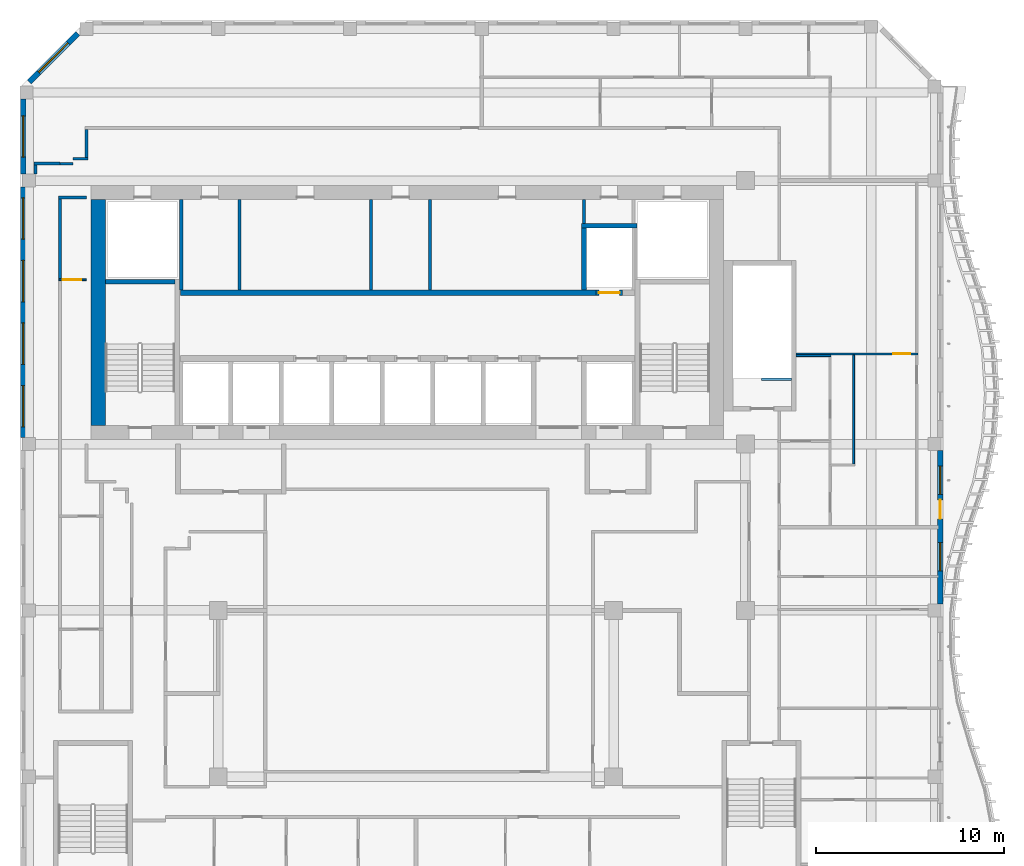
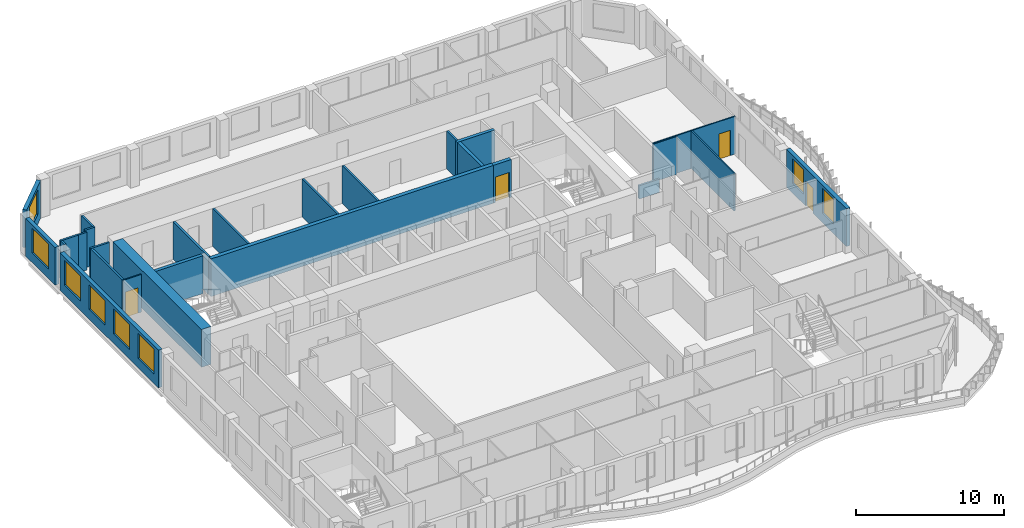
# One storey, part 7 of 18: 27 walls, 8 windows, 4 doors, 12 openings.
"""IFC4 building model written with IfcOpenShell, lengths in metres."""

from ifc_helpers import new_model, si_unit, direction, frame, frame_2d, origin, place, context, subcontext, project, spatial, rectangle, extrude, source, transform, mapped, material, layer, layer_set, type_object, element, fill, save


model = new_model("IFC4")

# Units and contexts
model_context = context("Model", 3, precision=1e-05, world=origin(), true_north=direction((0.0, 1.0)))
body_context = subcontext(model_context, "Body", "Model", "MODEL_VIEW")
ifc_project = project(units=[si_unit("LENGTHUNIT", "METRE"), si_unit("AREAUNIT", "SQUARE_METRE"), si_unit("VOLUMEUNIT", "CUBIC_METRE"), si_unit("PLANEANGLEUNIT", "RADIAN"), si_unit("MASSUNIT", "GRAM", prefix="KILO")], contexts=[model_context])

# Site, building, storey
site_placement = place(None, origin())
site = spatial("IfcSite", under=ifc_project, at=site_placement, CompositionType="ELEMENT")
building_placement = place(site_placement, origin())
building = spatial("IfcBuilding", under=site, at=building_placement, Name="Kilnfold Tower and Market Hall", CompositionType="ELEMENT")
storey_placement = place(building_placement, frame((0.0, 0.0, 256.0)))
storey = spatial("IfcBuildingStorey", under=building, at=storey_placement, Name="L62", CompositionType="ELEMENT", Elevation=256.0)

# Walls
ifc_material_1 = material(Name="Gypsum board on steel studs", Category="steel")
ifc_layer_1 = layer(ifc_material_1, 0.14990234375)
ifc_layer_set_1 = layer_set([ifc_layer_1], Name="Gypsum board on steel studs")
wall_type_1 = type_object("IfcWallType", Name="WALL CORRIDOR 150", PredefinedType="PARTITIONING", material=ifc_layer_set_1)
wall_1_placement = place(storey_placement, frame((-17.47509765625, 21.10009765625, 0.0), z_axis=(0.0, 0.0, 1.0), x_axis=(1.0, 0.0, 0.0)))
element("IfcWall", 1, at=wall_1_placement, inside=storey, type_object=wall_type_1, Name="Partition LY38.7", PredefinedType="PARTITIONING", context=body_context, shape_type="SweptSolid", body=[
    extrude(rectangle(XDim=1.47509765625, YDim=0.14990234375, at=frame_2d((0.737548828125, 0.0))), origin(), (0.0, 0.0, 1.0), 3.1201171875),
])
wall_2_placement = place(storey_placement, frame((-17.39990234375, 16.77099609375, 0.0), z_axis=(0.0, 0.0, 1.0), x_axis=(0.0, 1.0, 0.0)))
element("IfcWall", 2, at=wall_2_placement, inside=storey, type_object=wall_type_1, Name="Partition LY38.8", PredefinedType="PARTITIONING", context=body_context, shape_type="SweptSolid", body=[
    extrude(rectangle(XDim=4.25390625, YDim=0.14990234375, at=frame_2d((2.126953125, 0.0))), origin(), (0.0, 0.0, 1.0), 3.1201171875),
])
wall_3_placement = place(storey_placement, frame((-17.39794921875, 22.902099609375, 0.0), z_axis=(0.0, 0.0, 1.0), x_axis=(-1.0, 0.0, 0.0)))
element("IfcWall", 3, at=wall_3_placement, inside=storey, type_object=wall_type_1, Name="Partition LY38.22", PredefinedType="PARTITIONING", context=body_context, shape_type="SweptSolid", body=[
    extrude(rectangle(XDim=1.379150390625, YDim=0.14990234375, at=frame_2d((0.689453125, 0.0))), origin(), (0.0, 0.0, 1.0), 3.1201171875),
])
wall_4_placement = place(storey_placement, frame((-16.7119140625, 22.89990234375, 0.0), z_axis=(0.0, 0.0, 1.0), x_axis=(-1.0, 0.0, 0.0)))
element("IfcWall", 4, at=wall_4_placement, inside=storey, type_object=wall_type_1, Name="Partition LY38.23", PredefinedType="PARTITIONING", context=body_context, shape_type="SweptSolid", body=[
    extrude(rectangle(XDim=0.68603515625, YDim=0.14990234375, at=frame_2d((0.343017578125, 0.0))), origin(), (0.0, 0.0, 1.0), 3.1201171875),
])
wall_5_placement = place(storey_placement, frame((-15.925048828125, 23.1630859375, 0.0), z_axis=(0.0, 0.0, 1.0), x_axis=(-1.0, 0.0, 0.0)))
element("IfcWall", 5, at=wall_5_placement, inside=storey, type_object=wall_type_1, Name="Partition LY38.24", PredefinedType="PARTITIONING", context=body_context, shape_type="SweptSolid", body=[
    extrude(rectangle(XDim=0.786865234375, YDim=0.14990234375, at=frame_2d((0.3935546875, 0.0))), origin(), (0.0, 0.0, 1.0), 3.1201171875),
])
wall_6_placement = place(storey_placement, frame((-16.0, 23.238037109375, 0.0), z_axis=(0.0, 0.0, 1.0), x_axis=(0.0, 1.0, 0.0)))
element("IfcWall", 6, at=wall_6_placement, inside=storey, type_object=wall_type_1, Name="Partition LY38.25", PredefinedType="PARTITIONING", context=body_context, shape_type="SweptSolid", body=[
    extrude(rectangle(XDim=1.487060546875, YDim=0.14990234375, at=frame_2d((0.74365234375, 0.0))), origin(), (0.0, 0.0, 1.0), 3.1201171875),
])
wall_7_placement = place(storey_placement, frame((-18.701904296875, 22.826904296875, 0.0), z_axis=(0.0, 0.0, 1.0), x_axis=(0.0, -1.0, 0.0)))
element("IfcWall", 7, at=wall_7_placement, inside=storey, type_object=wall_type_1, Name="Partition LY38.27", PredefinedType="PARTITIONING", context=body_context, shape_type="SweptSolid", body=[
    extrude(rectangle(XDim=0.476806640625, YDim=0.14990234375, at=frame_2d((0.23828125, 0.0))), origin(), (0.0, 0.0, 1.0), 3.1201171875),
])

# Wall, opening, door
ifc_material_2 = material(Name="Gypsum board on steel studs", Category="steel")
ifc_layer_2 = layer(ifc_material_2, 0.10009765625)
ifc_layer_set_2 = layer_set([ifc_layer_2], Name="Gypsum board on steel studs")
wall_type_2 = type_object("IfcWallType", Name="WALL PARTITION 100", PredefinedType="PARTITIONING", material=ifc_layer_set_2)
wall_8_placement = place(storey_placement, frame((-16.0, 16.73095703125, 0.0), z_axis=(0.0, 0.0, 1.0), x_axis=(-1.0, 0.0, 0.0)))
wall_8 = element("IfcWall", 8, at=wall_8_placement, inside=storey, type_object=wall_type_2, Name="Partition LY38.58", PredefinedType="PARTITIONING", context=body_context, shape_type="SweptSolid", body=[
    extrude(rectangle(XDim=1.472900390625, YDim=0.10009765625, at=frame_2d((0.736328125, 0.0))), origin(), (0.0, 0.0, 1.0), 3.1201171875),
])
opening_1_placement = place(wall_8_placement, frame((0.27294921875, 0.0, 0.0)))
opening_1 = element("IfcOpeningElement", 9, at=opening_1_placement, cuts=wall_8, Name="Opening D1", PredefinedType="OPENING", context=body_context, shape_type="SweptSolid", body=[
    extrude(rectangle(XDim=1.0, YDim=2.10009765625, at=frame_2d((0.5, 1.050048828125))), frame((0.0, 0.06005859375, 0.0), z_axis=(0.0, -1.0, 0.0), x_axis=(1.0, 0.0, 0.0)), (0.0, 0.0, 1.0), 0.1201171875),
])
ifc_material_3 = material(Name="Timber veneer door leaf in steel frame", Category="steel")
door_type_1 = type_object("IfcDoorType", Name="DOOR ENTRY 1000 X2100", OperationType="NOTDEFINED", PredefinedType="DOOR", material=ifc_material_3)
door_1_placement = place(opening_1_placement, origin())
door_1 = element("IfcDoor", 10, at=door_1_placement, inside=storey, type_object=door_type_1, Name="Door D1", OperationType="SINGLE_SWING_RIGHT", OverallHeight=2.10009765625, OverallWidth=1.0, PredefinedType="DOOR", context=body_context, shape_type="SweptSolid", body=[
    extrude(rectangle(XDim=1.0, YDim=2.10009765625, at=frame_2d((0.5, 1.050048828125))), frame((0.0, 0.02490234375, 0.0), z_axis=(0.0, -1.0, 0.0), x_axis=(1.0, 0.0, 0.0)), (0.0, 0.0, 1.0), 0.050048828125),
])
fill(opening_1, door_1)

# Wall
wall_9_placement = place(storey_placement, frame((24.7509765625, 12.740966796875, 0.0), z_axis=(0.0, 0.0, 1.0), x_axis=(0.0, -1.0, 0.0)))
element("IfcWall", 11, at=wall_9_placement, inside=storey, type_object=wall_type_2, Name="Partition LY38.86", PredefinedType="PARTITIONING", context=body_context, shape_type="SweptSolid", body=[
    extrude(rectangle(XDim=5.800048828125, YDim=0.10009765625, at=frame_2d((2.89990234375, 0.0))), origin(), (0.0, 0.0, 1.0), 3.1201171875),
])

# Wall, opening, door
wall_10_placement = place(storey_placement, frame((21.699951171875, 12.791015625, 0.0), z_axis=(0.0, 0.0, 1.0), x_axis=(1.0, 0.0, 0.0)))
wall_10 = element("IfcWall", 12, at=wall_10_placement, inside=storey, type_object=wall_type_2, Name="Partition LY38.89", PredefinedType="PARTITIONING", context=body_context, shape_type="SweptSolid", body=[
    extrude(rectangle(XDim=6.4609375, YDim=0.10009765625, at=frame_2d((3.23046875, 0.0))), origin(), (0.0, 0.0, 1.0), 3.1201171875),
])
opening_2_placement = place(wall_10_placement, frame((5.159912109375, 0.0, 0.0)))
opening_2 = element("IfcOpeningElement", 13, at=opening_2_placement, cuts=wall_10, Name="Opening D2", PredefinedType="OPENING", context=body_context, shape_type="SweptSolid", body=[
    extrude(rectangle(XDim=0.89990234375, YDim=2.10009765625, at=frame_2d((0.449951171875, 1.050048828125))), frame((0.0, 0.06005859375, 0.0), z_axis=(0.0, -1.0, 0.0), x_axis=(1.0, 0.0, 0.0)), (0.0, 0.0, 1.0), 0.1201171875),
])
ifc_material_4 = material(Name="Timber veneer door leaf in steel frame", Category="steel")
door_type_2 = type_object("IfcDoorType", Name="DOOR ROOM 900 X2100", OperationType="NOTDEFINED", PredefinedType="DOOR", material=ifc_material_4)
door_2_placement = place(opening_2_placement, origin())
door_2 = element("IfcDoor", 14, at=door_2_placement, inside=storey, type_object=door_type_2, Name="Door D2", OperationType="SINGLE_SWING_LEFT", OverallHeight=2.10009765625, OverallWidth=0.89990234375, PredefinedType="DOOR", context=body_context, shape_type="SweptSolid", body=[
    extrude(rectangle(XDim=0.89990234375, YDim=2.10009765625, at=frame_2d((0.449951171875, 1.050048828125))), frame((0.0, 0.02490234375, 0.0), z_axis=(0.0, -1.0, 0.0), x_axis=(1.0, 0.0, 0.0)), (0.0, 0.0, 1.0), 0.050048828125),
])
fill(opening_2, door_2)

# Walls
wall_11_placement = place(storey_placement, frame((23.550048828125, 12.699951171875, 0.0), z_axis=(0.0, 0.0, 1.0), x_axis=(-1.0, 0.0, 0.0)))
element("IfcWall", 15, at=wall_11_placement, inside=storey, type_object=wall_type_2, Name="Partition LY38.92", PredefinedType="PARTITIONING", context=body_context, shape_type="SweptSolid", body=[
    extrude(rectangle(XDim=1.85009765625, YDim=0.10009765625, at=frame_2d((0.925048828125, 0.0))), origin(), (0.0, 0.0, 1.0), 3.1201171875),
])
ifc_material_5 = material(Name="Concrete C60", Category="concrete")
ifc_layer_3 = layer(ifc_material_5, 0.25)
ifc_layer_set_3 = layer_set([ifc_layer_3], Name="Concrete C60")
wall_type_3 = type_object("IfcWallType", Name="CORE WALL 250 C60", PredefinedType="SHEAR", material=ifc_layer_set_3)
shared_shape_1 = source(origin(), body_context, "Body", "SweptSolid", [
    extrude(rectangle(XDim=3.699951171875, YDim=0.25, at=frame_2d((1.85009765625, 0.0))), origin(), (0.0, 0.0, 1.0), 3.1201171875),
])
wall_12_placement = place(storey_placement, frame((-15.0, 16.625, 0.0), z_axis=(0.0, 0.0, 1.0), x_axis=(1.0, 0.0, 0.0)))
element("IfcWall", 16, at=wall_12_placement, inside=storey, type_object=wall_type_3, Name="Stair enclosure ST1", PredefinedType="SHEAR", context=body_context, shape_type="MappedRepresentation", body=[
    mapped(shared_shape_1, transform((0.0, 0.0, 0.0))),
])
ifc_material_6 = material(Name="Concrete C60", Category="concrete")
ifc_layer_4 = layer(ifc_material_6, 0.75)
ifc_layer_set_4 = layer_set([ifc_layer_4], Name="Concrete C60")
wall_type_4 = type_object("IfcWallType", Name="CORE WALL 750 C60", PredefinedType="SHEAR", material=ifc_layer_set_4)
shared_shape_2 = source(origin(), body_context, "Body", "SweptSolid", [
    extrude(rectangle(XDim=12.0, YDim=0.75, at=frame_2d((6.0, 0.0))), origin(), (0.0, 0.0, 1.0), 3.1201171875),
])
wall_13_placement = place(storey_placement, frame((-15.375, 9.0, 0.0), z_axis=(0.0, 0.0, 1.0), x_axis=(0.0, 1.0, 0.0)))
element("IfcWall", 17, at=wall_13_placement, inside=storey, type_object=wall_type_4, Name="Core outer wall west", PredefinedType="SHEAR", context=body_context, shape_type="MappedRepresentation", body=[
    mapped(shared_shape_2, transform((0.0, 0.0, 0.0))),
])
ifc_material_7 = material(Name="Concrete C60", Category="concrete")
ifc_layer_5 = layer(ifc_material_7, 0.300048828125)
ifc_layer_set_5 = layer_set([ifc_layer_5], Name="Concrete C60")
wall_type_5 = type_object("IfcWallType", Name="CORE WALL 300 C60", PredefinedType="SHEAR", material=ifc_layer_set_5)
shared_shape_3 = source(origin(), body_context, "Body", "SweptSolid", [
    extrude(rectangle(XDim=22.080078125, YDim=0.300048828125, at=frame_2d((11.0400390625, 0.0))), origin(), (0.0, 0.0, 1.0), 3.1201171875),
])
wall_14_placement = place(storey_placement, frame((-11.010009765625, 16.050048828125, 0.0), z_axis=(0.0, 0.0, 1.0), x_axis=(1.0, 0.0, 0.0)))
element("IfcWall", 18, at=wall_14_placement, inside=storey, type_object=wall_type_5, Name="Core spine wall", PredefinedType="SHEAR", context=body_context, shape_type="MappedRepresentation", body=[
    mapped(shared_shape_3, transform((0.0, 0.0, 0.0))),
])

# Wall, opening, window
ifc_material_8 = material(Name="Precast concrete C50/60", Category="concrete")
ifc_layer_6 = layer(ifc_material_8, 0.300048828125)
ifc_layer_set_6 = layer_set([ifc_layer_6], Name="Precast concrete C50/60")
wall_type_6 = type_object("IfcWallType", Name="PRECAST WALL 300", PredefinedType="SOLIDWALL", material=ifc_layer_set_6)
shared_shape_4 = source(origin(), body_context, "Body", "SweptSolid", [
    extrude(rectangle(XDim=3.6416015625, YDim=0.300048828125, at=frame_2d((1.82080078125, 0.0))), origin(), (0.0, 0.0, 1.0), 3.1201171875),
])
wall_15_placement = place(storey_placement, frame((-16.468994140625, 29.81884765625, 0.0), z_axis=(0.0, 0.0, 1.0), x_axis=(-0.707106781187, -0.707106781187, 0.0)))
wall_15 = element("IfcWall", 19, at=wall_15_placement, inside=storey, type_object=wall_type_6, Name="External wall L62 NW", PredefinedType="SOLIDWALL", context=body_context, shape_type="MappedRepresentation", body=[
    mapped(shared_shape_4, transform((0.0, 0.0, 0.0))),
])
opening_3_placement = place(wall_15_placement, frame((0.720703125, 0.0, 0.800048828125)))
opening_3 = element("IfcOpeningElement", 20, at=opening_3_placement, cuts=wall_15, Name="Opening W3", PredefinedType="OPENING", context=body_context, shape_type="SweptSolid", body=[
    extrude(rectangle(XDim=2.199951171875, YDim=2.050048828125, at=frame_2d((1.10009765625, 1.02490234375))), frame((0.0, 0.16015625, 0.0), z_axis=(0.0, -1.0, 0.0), x_axis=(1.0, 0.0, 0.0)), (0.0, 0.0, 1.0), 0.320068359375),
])
ifc_material_9 = material(Name="Aluminium frame and double glazing", Category="aluminium")
window_type_1 = type_object("IfcWindowType", Name="WINDOW W3 2200X2050", PartitioningType="SINGLE_PANEL", PredefinedType="WINDOW", material=ifc_material_9)
window_1_placement = place(opening_3_placement, origin())
window_1 = element("IfcWindow", 21, at=window_1_placement, inside=storey, type_object=window_type_1, Name="Window W3 L62 NW-1", OverallHeight=2.050048828125, OverallWidth=2.199951171875, PartitioningType="SINGLE_PANEL", PredefinedType="WINDOW", context=body_context, shape_type="SweptSolid", body=[
    extrude(rectangle(XDim=2.199951171875, YDim=2.050048828125, at=frame_2d((1.10009765625, 1.02490234375))), frame((0.0, 0.030029296875, 0.0), z_axis=(0.0, -1.0, 0.0), x_axis=(1.0, 0.0, 0.0)), (0.0, 0.0, 1.0), 0.06005859375),
])
fill(opening_3, window_1)

# Wall, openings, door, windows
shared_shape_5 = source(origin(), body_context, "Body", "SweptSolid", [
    extrude(rectangle(XDim=8.13330078125, YDim=0.300048828125, at=frame_2d((4.066650390625, 0.0))), origin(), (0.0, 0.0, 1.0), 3.1201171875),
])
wall_16_placement = place(storey_placement, frame((29.35009765625, -0.4833984375, 0.0), z_axis=(0.0, 0.0, 1.0), x_axis=(0.0, 1.0, 0.0)))
wall_16 = element("IfcWall", 22, at=wall_16_placement, inside=storey, type_object=wall_type_6, Name="External wall L62 E", PredefinedType="SOLIDWALL", context=body_context, shape_type="MappedRepresentation", body=[
    mapped(shared_shape_5, transform((0.0, 0.0, 0.0))),
])
opening_4_placement = place(wall_16_placement, frame((1.75, 0.0, 0.800048828125)))
opening_4 = element("IfcOpeningElement", 23, at=opening_4_placement, cuts=wall_16, Name="Opening W5", PredefinedType="OPENING", context=body_context, shape_type="SweptSolid", body=[
    extrude(rectangle(XDim=1.5, YDim=2.050048828125, at=frame_2d((0.75, 1.02490234375))), frame((0.0, 0.16015625, 0.0), z_axis=(0.0, -1.0, 0.0), x_axis=(1.0, 0.0, 0.0)), (0.0, 0.0, 1.0), 0.320068359375),
])
opening_5_placement = place(wall_16_placement, frame((5.816650390625, 0.0, 0.800048828125)))
opening_5 = element("IfcOpeningElement", 24, at=opening_5_placement, cuts=wall_16, Name="Opening W5", PredefinedType="OPENING", context=body_context, shape_type="SweptSolid", body=[
    extrude(rectangle(XDim=1.5, YDim=2.050048828125, at=frame_2d((0.75, 1.02490234375))), frame((0.0, 0.16015625, 0.0), z_axis=(0.0, -1.0, 0.0), x_axis=(1.0, 0.0, 0.0)), (0.0, 0.0, 1.0), 0.320068359375),
])
opening_6_placement = place(wall_16_placement, frame((4.5166015625, 0.0, 0.0)))
opening_6 = element("IfcOpeningElement", 25, at=opening_6_placement, cuts=wall_16, Name="Opening BD1", PredefinedType="OPENING", context=body_context, shape_type="SweptSolid", body=[
    extrude(rectangle(XDim=1.0, YDim=2.10009765625, at=frame_2d((0.5, 1.050048828125))), frame((0.0, 0.16015625, 0.0), z_axis=(0.0, -1.0, 0.0), x_axis=(1.0, 0.0, 0.0)), (0.0, 0.0, 1.0), 0.320068359375),
])
ifc_material_10 = material(Name="Aluminium frame and double glazing", Category="aluminium")
door_type_3 = type_object("IfcDoorType", Name="BALCONY DOOR 1000X2100", OperationType="NOTDEFINED", PredefinedType="DOOR", material=ifc_material_10)
door_3_placement = place(opening_6_placement, origin())
door_3 = element("IfcDoor", 26, at=door_3_placement, inside=storey, type_object=door_type_3, Name="Balcony door BD1 L62 E-2", OperationType="SINGLE_SWING_RIGHT", OverallHeight=2.10009765625, OverallWidth=1.0, PredefinedType="DOOR", context=body_context, shape_type="SweptSolid", body=[
    extrude(rectangle(XDim=1.0, YDim=2.10009765625, at=frame_2d((0.5, 1.050048828125))), frame((0.0, 0.02490234375, 0.0), z_axis=(0.0, -1.0, 0.0), x_axis=(1.0, 0.0, 0.0)), (0.0, 0.0, 1.0), 0.050048828125),
])
fill(opening_6, door_3)
ifc_material_11 = material(Name="Aluminium frame and double glazing", Category="aluminium")
window_type_2 = type_object("IfcWindowType", Name="WINDOW W5 1500X2050", PartitioningType="SINGLE_PANEL", PredefinedType="WINDOW", material=ifc_material_11)
window_2_placement = place(opening_4_placement, origin())
window_2 = element("IfcWindow", 27, at=window_2_placement, inside=storey, type_object=window_type_2, Name="Window W5 L62 E-1", OverallHeight=2.050048828125, OverallWidth=1.5, PartitioningType="SINGLE_PANEL", PredefinedType="WINDOW", context=body_context, shape_type="SweptSolid", body=[
    extrude(rectangle(XDim=1.5, YDim=2.050048828125, at=frame_2d((0.75, 1.02490234375))), frame((0.0, 0.030029296875, 0.0), z_axis=(0.0, -1.0, 0.0), x_axis=(1.0, 0.0, 0.0)), (0.0, 0.0, 1.0), 0.06005859375),
])
fill(opening_4, window_2)
window_3_placement = place(opening_5_placement, origin())
window_3 = element("IfcWindow", 28, at=window_3_placement, inside=storey, type_object=window_type_2, Name="Window W5 L62 E-2", OverallHeight=2.050048828125, OverallWidth=1.5, PartitioningType="SINGLE_PANEL", PredefinedType="WINDOW", context=body_context, shape_type="SweptSolid", body=[
    extrude(rectangle(XDim=1.5, YDim=2.050048828125, at=frame_2d((0.75, 1.02490234375))), frame((0.0, 0.030029296875, 0.0), z_axis=(0.0, -1.0, 0.0), x_axis=(1.0, 0.0, 0.0)), (0.0, 0.0, 1.0), 0.06005859375),
])
fill(opening_5, window_3)

# Wall, openings, windows
shared_shape_6 = source(origin(), body_context, "Body", "SweptSolid", [
    extrude(rectangle(XDim=13.2998046875, YDim=0.300048828125, at=frame_2d((6.64990234375, 0.0))), origin(), (0.0, 0.0, 1.0), 3.1201171875),
])
wall_17_placement = place(storey_placement, frame((-19.35009765625, 21.64990234375, 0.0), z_axis=(0.0, 0.0, 1.0), x_axis=(0.0, -1.0, 0.0)))
wall_17 = element("IfcWall", 29, at=wall_17_placement, inside=storey, type_object=wall_type_6, Name="External wall L62 W", PredefinedType="SOLIDWALL", context=body_context, shape_type="MappedRepresentation", body=[
    mapped(shared_shape_6, transform((0.0, 0.0, 0.0))),
])
opening_7_placement = place(wall_17_placement, frame((0.5625, 0.0, 0.800048828125)))
opening_7 = element("IfcOpeningElement", 30, at=opening_7_placement, cuts=wall_17, Name="Opening W3", PredefinedType="OPENING", context=body_context, shape_type="SweptSolid", body=[
    extrude(rectangle(XDim=2.199951171875, YDim=2.050048828125, at=frame_2d((1.10009765625, 1.02490234375))), frame((0.0, 0.16015625, 0.0), z_axis=(0.0, -1.0, 0.0), x_axis=(1.0, 0.0, 0.0)), (0.0, 0.0, 1.0), 0.320068359375),
])
opening_8_placement = place(wall_17_placement, frame((3.887451171875, 0.0, 0.800048828125)))
opening_8 = element("IfcOpeningElement", 31, at=opening_8_placement, cuts=wall_17, Name="Opening W3", PredefinedType="OPENING", context=body_context, shape_type="SweptSolid", body=[
    extrude(rectangle(XDim=2.199951171875, YDim=2.050048828125, at=frame_2d((1.10009765625, 1.02490234375))), frame((0.0, 0.16015625, 0.0), z_axis=(0.0, -1.0, 0.0), x_axis=(1.0, 0.0, 0.0)), (0.0, 0.0, 1.0), 0.320068359375),
])
opening_9_placement = place(wall_17_placement, frame((7.21240234375, 0.0, 0.800048828125)))
opening_9 = element("IfcOpeningElement", 32, at=opening_9_placement, cuts=wall_17, Name="Opening W3", PredefinedType="OPENING", context=body_context, shape_type="SweptSolid", body=[
    extrude(rectangle(XDim=2.199951171875, YDim=2.050048828125, at=frame_2d((1.10009765625, 1.02490234375))), frame((0.0, 0.16015625, 0.0), z_axis=(0.0, -1.0, 0.0), x_axis=(1.0, 0.0, 0.0)), (0.0, 0.0, 1.0), 0.320068359375),
])
opening_10_placement = place(wall_17_placement, frame((10.53759765625, 0.0, 0.800048828125)))
opening_10 = element("IfcOpeningElement", 33, at=opening_10_placement, cuts=wall_17, Name="Opening W3", PredefinedType="OPENING", context=body_context, shape_type="SweptSolid", body=[
    extrude(rectangle(XDim=2.199951171875, YDim=2.050048828125, at=frame_2d((1.10009765625, 1.02490234375))), frame((0.0, 0.16015625, 0.0), z_axis=(0.0, -1.0, 0.0), x_axis=(1.0, 0.0, 0.0)), (0.0, 0.0, 1.0), 0.320068359375),
])
window_4_placement = place(opening_7_placement, origin())
window_4 = element("IfcWindow", 34, at=window_4_placement, inside=storey, type_object=window_type_1, Name="Window W3 L62 W-1", OverallHeight=2.050048828125, OverallWidth=2.199951171875, PartitioningType="SINGLE_PANEL", PredefinedType="WINDOW", context=body_context, shape_type="SweptSolid", body=[
    extrude(rectangle(XDim=2.199951171875, YDim=2.050048828125, at=frame_2d((1.10009765625, 1.02490234375))), frame((0.0, 0.030029296875, 0.0), z_axis=(0.0, -1.0, 0.0), x_axis=(1.0, 0.0, 0.0)), (0.0, 0.0, 1.0), 0.06005859375),
])
fill(opening_7, window_4)
window_5_placement = place(opening_8_placement, origin())
window_5 = element("IfcWindow", 35, at=window_5_placement, inside=storey, type_object=window_type_1, Name="Window W3 L62 W-2", OverallHeight=2.050048828125, OverallWidth=2.199951171875, PartitioningType="SINGLE_PANEL", PredefinedType="WINDOW", context=body_context, shape_type="SweptSolid", body=[
    extrude(rectangle(XDim=2.199951171875, YDim=2.050048828125, at=frame_2d((1.10009765625, 1.02490234375))), frame((0.0, 0.030029296875, 0.0), z_axis=(0.0, -1.0, 0.0), x_axis=(1.0, 0.0, 0.0)), (0.0, 0.0, 1.0), 0.06005859375),
])
fill(opening_8, window_5)
window_6_placement = place(opening_9_placement, origin())
window_6 = element("IfcWindow", 36, at=window_6_placement, inside=storey, type_object=window_type_1, Name="Window W3 L62 W-3", OverallHeight=2.050048828125, OverallWidth=2.199951171875, PartitioningType="SINGLE_PANEL", PredefinedType="WINDOW", context=body_context, shape_type="SweptSolid", body=[
    extrude(rectangle(XDim=2.199951171875, YDim=2.050048828125, at=frame_2d((1.10009765625, 1.02490234375))), frame((0.0, 0.030029296875, 0.0), z_axis=(0.0, -1.0, 0.0), x_axis=(1.0, 0.0, 0.0)), (0.0, 0.0, 1.0), 0.06005859375),
])
fill(opening_9, window_6)
window_7_placement = place(opening_10_placement, origin())
window_7 = element("IfcWindow", 37, at=window_7_placement, inside=storey, type_object=window_type_1, Name="Window W3 L62 W-4", OverallHeight=2.050048828125, OverallWidth=2.199951171875, PartitioningType="SINGLE_PANEL", PredefinedType="WINDOW", context=body_context, shape_type="SweptSolid", body=[
    extrude(rectangle(XDim=2.199951171875, YDim=2.050048828125, at=frame_2d((1.10009765625, 1.02490234375))), frame((0.0, 0.030029296875, 0.0), z_axis=(0.0, -1.0, 0.0), x_axis=(1.0, 0.0, 0.0)), (0.0, 0.0, 1.0), 0.06005859375),
])
fill(opening_10, window_7)

# Wall, opening, window
shared_shape_7 = source(origin(), body_context, "Body", "SweptSolid", [
    extrude(rectangle(XDim=3.981689453125, YDim=0.300048828125, at=frame_2d((1.99072265625, 0.0))), origin(), (0.0, 0.0, 1.0), 3.1201171875),
])
wall_18_placement = place(storey_placement, frame((-19.35009765625, 26.331787109375, 0.0), z_axis=(0.0, 0.0, 1.0), x_axis=(0.0, -1.0, 0.0)))
wall_18 = element("IfcWall", 38, at=wall_18_placement, inside=storey, type_object=wall_type_6, Name="External wall L62 W", PredefinedType="SOLIDWALL", context=body_context, shape_type="MappedRepresentation", body=[
    mapped(shared_shape_7, transform((0.0, 0.0, 0.0))),
])
opening_11_placement = place(wall_18_placement, frame((0.890869140625, 0.0, 0.800048828125)))
opening_11 = element("IfcOpeningElement", 39, at=opening_11_placement, cuts=wall_18, Name="Opening W3", PredefinedType="OPENING", context=body_context, shape_type="SweptSolid", body=[
    extrude(rectangle(XDim=2.199951171875, YDim=2.050048828125, at=frame_2d((1.10009765625, 1.02490234375))), frame((0.0, 0.16015625, 0.0), z_axis=(0.0, -1.0, 0.0), x_axis=(1.0, 0.0, 0.0)), (0.0, 0.0, 1.0), 0.320068359375),
])
window_8_placement = place(opening_11_placement, origin())
window_8 = element("IfcWindow", 40, at=window_8_placement, inside=storey, type_object=window_type_1, Name="Window W3 L62 W-1", OverallHeight=2.050048828125, OverallWidth=2.199951171875, PartitioningType="SINGLE_PANEL", PredefinedType="WINDOW", context=body_context, shape_type="SweptSolid", body=[
    extrude(rectangle(XDim=2.199951171875, YDim=2.050048828125, at=frame_2d((1.10009765625, 1.02490234375))), frame((0.0, 0.030029296875, 0.0), z_axis=(0.0, -1.0, 0.0), x_axis=(1.0, 0.0, 0.0)), (0.0, 0.0, 1.0), 0.06005859375),
])
fill(opening_11, window_8)

# Wall
ifc_material_12 = material(Name="Concrete C40/50", Category="concrete")
ifc_layer_7 = layer(ifc_material_12, 0.14990234375)
ifc_layer_set_7 = layer_set([ifc_layer_7], Name="Concrete C40/50")
wall_type_7 = type_object("IfcWallType", Name="CORE STAIR HEAD PARAPET 150", PredefinedType="PARAPET", material=ifc_layer_set_7)
shared_shape_8 = source(origin(), body_context, "Body", "SweptSolid", [
    extrude(rectangle(XDim=1.599853515625, YDim=0.14990234375, at=frame_2d((0.7998046875, 0.0))), origin(), (0.0, 0.0, 1.0), 1.10009765625),
])
wall_19_placement = place(storey_placement, frame((21.449951171875, 11.449951171875, 0.0), z_axis=(0.0, 0.0, 1.0), x_axis=(-1.0, 0.0, 0.0)))
element("IfcWall", 41, at=wall_19_placement, inside=storey, type_object=wall_type_7, Name="L62 ST5 head parapet 1", PredefinedType="PARAPET", context=body_context, shape_type="MappedRepresentation", body=[
    mapped(shared_shape_8, transform((0.0, 0.0, 0.0))),
])

# Wall, opening, door
ifc_material_13 = material(Name="Gypsum shaft wall system")
ifc_layer_8 = layer(ifc_material_13, 0.300048828125)
ifc_layer_set_8 = layer_set([ifc_layer_8], Name="Gypsum shaft wall system")
wall_type_8 = type_object("IfcWallType", Name="SHAFT WALL 300", PredefinedType="PARTITIONING", material=ifc_layer_set_8)
shared_shape_9 = source(origin(), body_context, "Body", "SweptSolid", [
    extrude(rectangle(XDim=1.39990234375, YDim=0.300048828125, at=frame_2d((0.699951171875, 0.0))), origin(), (0.0, 0.0, 1.0), 3.1201171875),
])
wall_20_placement = place(storey_placement, frame((11.070068359375, 16.050048828125, 0.0), z_axis=(0.0, 0.0, 1.0), x_axis=(1.0, 0.0, 0.0)))
wall_20 = element("IfcWall", 42, at=wall_20_placement, inside=storey, type_object=wall_type_8, Name="Lift shaft front wall", PredefinedType="PARTITIONING", context=body_context, shape_type="MappedRepresentation", body=[
    mapped(shared_shape_9, transform((0.0, 0.0, 0.0))),
])
opening_12_placement = place(wall_20_placement, frame((0.14990234375, 0.0, 0.0)))
opening_12 = element("IfcOpeningElement", 43, at=opening_12_placement, cuts=wall_20, Name="Opening LD2", PredefinedType="OPENING", context=body_context, shape_type="SweptSolid", body=[
    extrude(rectangle(XDim=1.10009765625, YDim=2.10009765625, at=frame_2d((0.550048828125, 1.050048828125))), frame((0.0, 0.16015625, 0.0), z_axis=(0.0, -1.0, 0.0), x_axis=(1.0, 0.0, 0.0)), (0.0, 0.0, 1.0), 0.320068359375),
])
ifc_material_14 = material(Name="Steel door set with fire-resisting leaf", Category="steel")
door_type_4 = type_object("IfcDoorType", Name="LANDING DOOR 1100X2100", OperationType="NOTDEFINED", PredefinedType="DOOR", material=ifc_material_14)
door_4_placement = place(opening_12_placement, origin())
door_4 = element("IfcDoor", 44, at=door_4_placement, inside=storey, type_object=door_type_4, Name="Landing door HR6", OperationType="DOUBLE_DOOR_SLIDING", OverallHeight=2.10009765625, OverallWidth=1.10009765625, PredefinedType="DOOR", context=body_context, shape_type="SweptSolid", body=[
    extrude(rectangle(XDim=1.10009765625, YDim=2.10009765625, at=frame_2d((0.550048828125, 1.050048828125))), frame((0.0, 0.02490234375, 0.0), z_axis=(0.0, -1.0, 0.0), x_axis=(1.0, 0.0, 0.0)), (0.0, 0.0, 1.0), 0.050048828125),
])
fill(opening_12, door_4)

# Walls
ifc_material_15 = material(Name="Gypsum shaft wall system")
ifc_layer_9 = layer(ifc_material_15, 0.1650390625)
ifc_layer_set_9 = layer_set([ifc_layer_9], Name="Gypsum shaft wall system")
wall_type_9 = type_object("IfcWallType", Name="SHAFT WALL 165", PredefinedType="PARTITIONING", material=ifc_layer_set_9)
shared_shape_10 = source(origin(), body_context, "Body", "SweptSolid", [
    extrude(rectangle(XDim=4.800048828125, YDim=0.1650390625, at=frame_2d((2.39990234375, 0.0))), origin(), (0.0, 0.0, 1.0), 3.1201171875),
])
wall_21_placement = place(storey_placement, frame((-10.967529296875, 16.199951171875, 0.0), z_axis=(0.0, 0.0, 1.0), x_axis=(0.0, 1.0, 0.0)))
element("IfcWall", 45, at=wall_21_placement, inside=storey, type_object=wall_type_9, Name="Lift shaft wall", PredefinedType="PARTITIONING", context=body_context, shape_type="MappedRepresentation", body=[
    mapped(shared_shape_10, transform((0.0, 0.0, 0.0))),
])
ifc_material_16 = material(Name="Gypsum shaft wall system")
ifc_layer_10 = layer(ifc_material_16, 0.25)
ifc_layer_set_10 = layer_set([ifc_layer_10], Name="Gypsum shaft wall system")
wall_type_10 = type_object("IfcWallType", Name="SHAFT WALL 250", PredefinedType="PARTITIONING", material=ifc_layer_set_10)
shared_shape_11 = source(origin(), body_context, "Body", "SweptSolid", [
    extrude(rectangle(XDim=3.275146484375, YDim=0.25, at=frame_2d((1.6376953125, 0.0))), origin(), (0.0, 0.0, 1.0), 3.1201171875),
])
wall_22_placement = place(storey_placement, frame((10.429931640625, 16.199951171875, 0.0), z_axis=(0.0, 0.0, 1.0), x_axis=(0.0, 1.0, 0.0)))
element("IfcWall", 46, at=wall_22_placement, inside=storey, type_object=wall_type_10, Name="Lift shaft wall", PredefinedType="PARTITIONING", context=body_context, shape_type="MappedRepresentation", body=[
    mapped(shared_shape_11, transform((0.0, 0.0, 0.0))),
])
ifc_material_17 = material(Name="Gypsum shaft wall system")
ifc_layer_11 = layer(ifc_material_17, 0.14990234375)
ifc_layer_set_11 = layer_set([ifc_layer_11], Name="Gypsum shaft wall system")
wall_type_11 = type_object("IfcWallType", Name="ROOM WALL 150", PredefinedType="PARTITIONING", material=ifc_layer_set_11)
shared_shape_12 = source(origin(), body_context, "Body", "SweptSolid", [
    extrude(rectangle(XDim=4.800048828125, YDim=0.14990234375, at=frame_2d((2.39990234375, 0.0))), origin(), (0.0, 0.0, 1.0), 3.1201171875),
])
for number, where, z_axis, x_axis, name in (
    (47, (-7.87451171875, 16.199951171875, 0.0), (0.0, 0.0, 1.0), (0.0, 1.0, 0.0), "Core room wall"),
    (48, (-0.879638671875, 16.199951171875, 0.0), (0.0, 0.0, 1.0), (0.0, 1.0, 0.0), "Core room wall"),
    (49, (2.256103515625, 16.199951171875, 0.0), (0.0, 0.0, 1.0), (0.0, 1.0, 0.0), "Core room wall"),
):
    element("IfcWall", number, at=place(storey_placement, frame(where, z_axis=z_axis, x_axis=x_axis)), inside=storey, type_object=wall_type_11, Name=name, PredefinedType="PARTITIONING", context=body_context, shape_type="MappedRepresentation", body=[
        mapped(shared_shape_12, transform((0.0, 0.0, 0.0))),
    ])
shared_shape_13 = source(origin(), body_context, "Body", "SweptSolid", [
    extrude(rectangle(XDim=1.27490234375, YDim=0.14990234375, at=frame_2d((0.637451171875, 0.0))), origin(), (0.0, 0.0, 1.0), 3.1201171875),
])
wall_23_placement = place(storey_placement, frame((10.429931640625, 19.72509765625, 0.0), z_axis=(0.0, 0.0, 1.0), x_axis=(0.0, 1.0, 0.0)))
element("IfcWall", 50, at=wall_23_placement, inside=storey, type_object=wall_type_11, Name="Core room wall", PredefinedType="PARTITIONING", context=body_context, shape_type="MappedRepresentation", body=[
    mapped(shared_shape_13, transform((0.0, 0.0, 0.0))),
])
shared_shape_14 = source(origin(), body_context, "Body", "SweptSolid", [
    extrude(rectangle(XDim=2.93017578125, YDim=0.25, at=frame_2d((1.465087890625, 0.0))), origin(), (0.0, 0.0, 1.0), 3.1201171875),
])
wall_24_placement = place(storey_placement, frame((10.304931640625, 19.60009765625, 0.0), z_axis=(0.0, 0.0, 1.0), x_axis=(1.0, 0.0, 0.0)))
element("IfcWall", 51, at=wall_24_placement, inside=storey, type_object=wall_type_10, Name="Lift shaft wall", PredefinedType="PARTITIONING", context=body_context, shape_type="MappedRepresentation", body=[
    mapped(shared_shape_14, transform((0.0, 0.0, 0.0))),
])

save(model, "model.ifc")
